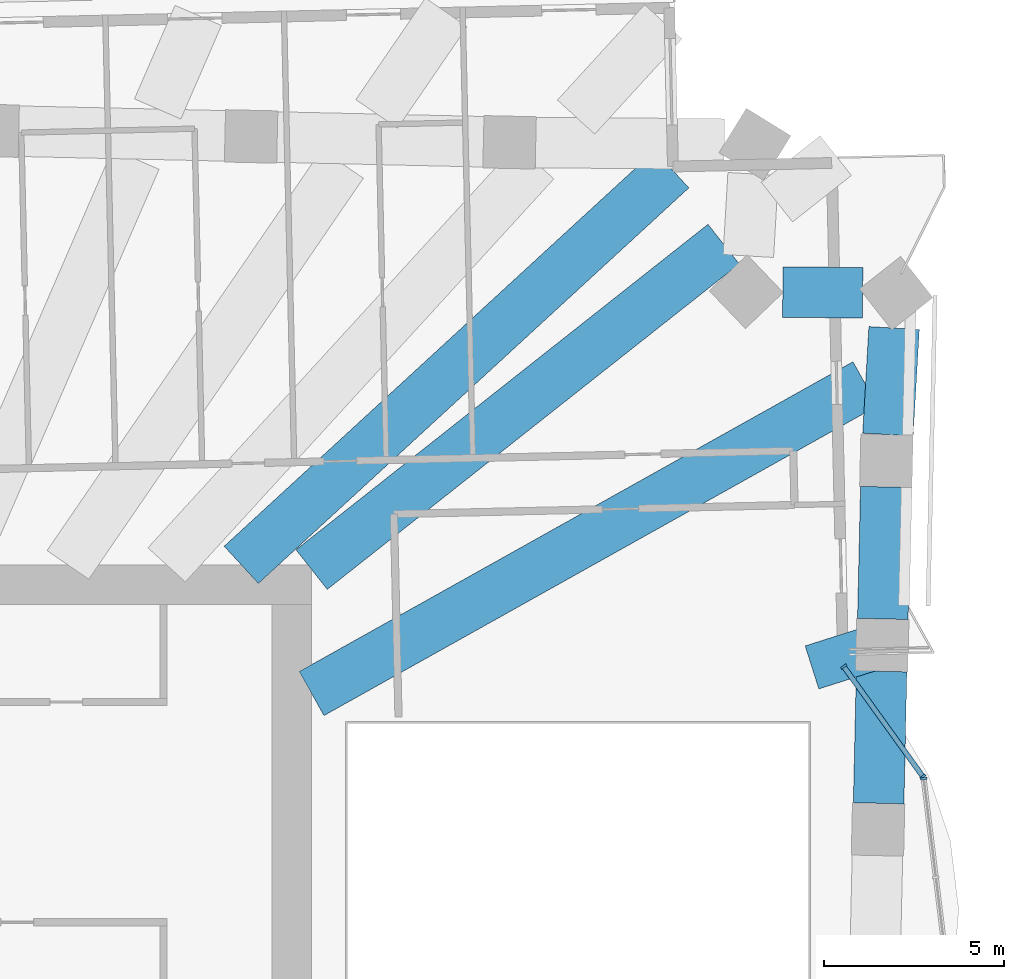
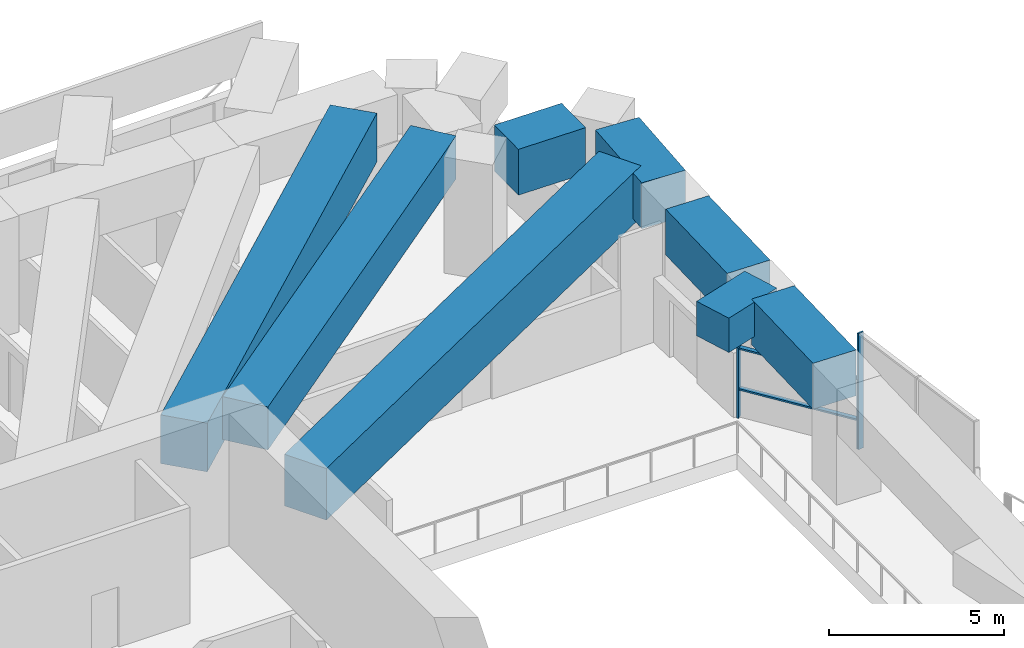
# One storey, part 7 of 20: 8 beams, 5 members, 2 elements without a shape of their own.
"""IFC4 building model written with IfcOpenShell, lengths in metres."""

from ifc_helpers import new_model, si_unit, direction, frame, origin, origin_2d, place, context, subcontext, project, spatial, rectangle, extrude, material, material_profile, profile_set, type_object, element, aggregate, save


model = new_model("IFC4")

# Units and contexts
model_context = context("Model", 3, precision=1e-05, world=origin(), true_north=direction((0.0, 1.0)))
body_context = subcontext(model_context, "Body", "Model", "MODEL_VIEW")
ifc_project = project(units=[si_unit("LENGTHUNIT", "METRE"), si_unit("AREAUNIT", "SQUARE_METRE"), si_unit("VOLUMEUNIT", "CUBIC_METRE"), si_unit("PLANEANGLEUNIT", "RADIAN"), si_unit("MASSUNIT", "GRAM", prefix="KILO")], contexts=[model_context])

# Site, building, storey
site_placement = place(None, origin())
site = spatial("IfcSite", under=ifc_project, at=site_placement, CompositionType="ELEMENT")
building_placement = place(site_placement, origin())
building = spatial("IfcBuilding", under=site, at=building_placement, Name="Mangrove Gate Tower", CompositionType="ELEMENT")
storey_placement = place(building_placement, frame((0.0, 0.0, 74.699951171875)))
storey = spatial("IfcBuildingStorey", under=building, at=storey_placement, Name="L18", CompositionType="ELEMENT", Elevation=74.699951171875)

# Curtain wall, member
ifc_material_1 = material(Name="Aluminium and glass curtain wall", Category="aluminium")
curtain_wall_type = type_object("IfcCurtainWallType", Name="Sky-lounge glazing wall", PredefinedType="NOTDEFINED", material=ifc_material_1)
curtain_wall_1_placement = place(storey_placement, origin())
curtain_wall_1 = element("IfcCurtainWall", 1, at=curtain_wall_1_placement, inside=storey, type_object=curtain_wall_type, Name="Sky-lounge glazing E1f2", PredefinedType="NOTDEFINED")
ifc_material_2 = material(Name="Aluminium alloy 6063-T6", Category="aluminium")
ifc_material_profile_1 = material_profile(ifc_material_2, rectangle(XDim=0.06005859375, YDim=0.179931640625, at=origin_2d()))
ifc_profile_set_1 = profile_set([ifc_material_profile_1], Name="Aluminium alloy 6063-T6")
member_type_1 = type_object("IfcMemberType", Name="Sky-lounge glazing mullion 60x180", PredefinedType="MULLION", material=ifc_profile_set_1)
member_1_placement = place(storey_placement, frame((31.85498046875, 5.97998046875, 0.0), z_axis=(0.0, 0.0, 1.0), x_axis=(-0.122172286076, 0.992508908028, 0.0)))
member_1 = element("IfcMember", 2, at=member_1_placement, type_object=member_type_1, Name="CWK mullion 3", PredefinedType="MULLION", context=body_context, shape_type="SweptSolid", body=[
    extrude(rectangle(XDim=0.06005859375, YDim=0.179931640625, at=origin_2d()), origin(), (0.0, 0.0, 1.0), 4.050048828125),
])
aggregate(curtain_wall_1, [member_1])

# Curtain wall, members
curtain_wall_2_placement = place(storey_placement, origin())
curtain_wall_2 = element("IfcCurtainWall", 3, at=curtain_wall_2_placement, inside=storey, type_object=curtain_wall_type, Name="Sky-lounge glazing E1f3", PredefinedType="NOTDEFINED")
member_2_placement = place(storey_placement, frame((31.833740234375, 6.0341796875, 0.0), z_axis=(0.0, 0.0, 1.0), x_axis=(-0.583670260892, 0.811990779843, 0.0)))
member_2 = element("IfcMember", 4, at=member_2_placement, type_object=member_type_1, Name="CWK mullion 1", PredefinedType="MULLION", context=body_context, shape_type="SweptSolid", body=[
    extrude(rectangle(XDim=0.06005859375, YDim=0.179931640625, at=origin_2d()), origin(), (0.0, 0.0, 1.0), 2.449951171875),
])
member_3_placement = place(storey_placement, frame((29.6416015625, 9.083984375, 0.0), z_axis=(0.0, 0.0, 1.0), x_axis=(-0.583670260892, 0.811990779843, 0.0)))
member_3 = element("IfcMember", 5, at=member_3_placement, type_object=member_type_1, Name="CWK mullion 2", PredefinedType="MULLION", context=body_context, shape_type="SweptSolid", body=[
    extrude(rectangle(XDim=0.06005859375, YDim=0.179931640625, at=origin_2d()), origin(), (0.0, 0.0, 1.0), 2.449951171875),
])
ifc_material_3 = material(Name="Aluminium alloy 6063-T6", Category="aluminium")
ifc_material_profile_2 = material_profile(ifc_material_3, rectangle(XDim=0.06005859375, YDim=0.139892578125, at=origin_2d()))
ifc_profile_set_2 = profile_set([ifc_material_profile_2], Name="Aluminium alloy 6063-T6")
member_type_2 = type_object("IfcMemberType", Name="Sky-lounge glazing transom 60x140", PredefinedType="USERDEFINED", material=ifc_profile_set_2)
member_4_placement = place(storey_placement, frame((31.81640625, 6.05859375, 1.0), z_axis=(-0.583728598012, 0.811948843132, 0.0), x_axis=(0.0, 0.0, 1.0)))
member_4 = element("IfcMember", 6, at=member_4_placement, type_object=member_type_2, Name="CWK transom 1.2", ObjectType="TRANSOM", PredefinedType="USERDEFINED", context=body_context, shape_type="SweptSolid", body=[
    extrude(rectangle(XDim=0.06005859375, YDim=0.139892578125, at=origin_2d()), origin(), (0.0, 0.0, 1.0), 3.696044921875),
])
member_5_placement = place(storey_placement, frame((31.81640625, 6.05859375, 2.420166015625), z_axis=(-0.583728598012, 0.811948843132, 0.0), x_axis=(0.0, 0.0, 1.0)))
member_5 = element("IfcMember", 7, at=member_5_placement, type_object=member_type_2, Name="CWK transom 1.3", ObjectType="TRANSOM", PredefinedType="USERDEFINED", context=body_context, shape_type="SweptSolid", body=[
    extrude(rectangle(XDim=0.06005859375, YDim=0.139892578125, at=origin_2d()), origin(), (0.0, 0.0, 1.0), 3.696044921875),
])
aggregate(curtain_wall_2, [member_2, member_3, member_4, member_5])

# Beams
ifc_material_4 = material(Name="Concrete C70/85", Category="concrete")
ifc_material_profile_3 = material_profile(ifc_material_4, rectangle(XDim=1.25, YDim=1.199951171875, at=origin_2d()))
ifc_profile_set_3 = profile_set([ifc_material_profile_3], Name="Concrete C70/85")
beam_type_1 = type_object("IfcBeamType", Name="Transfer girder RC 1250x1200 C70/85", PredefinedType="BEAM", material=ifc_profile_set_3)
beam_1_placement = place(storey_placement, frame((30.707275390625, 9.676513671875, 3.449951171875), z_axis=(-0.953096881556, -0.302665383499, 0.0), x_axis=(0.302665383499, -0.953096881556, 0.0)))
element("IfcBeam", 8, at=beam_1_placement, inside=storey, type_object=beam_type_1, Name="Transfer edge girder L18 16", PredefinedType="BEAM", context=body_context, shape_type="SweptSolid", body=[
    extrude(rectangle(XDim=1.25, YDim=1.199951171875, at=origin_2d()), origin(), (0.0, 0.0, 1.0), 2.040771484375),
])
ifc_material_5 = material(Name="Concrete C70/85", Category="concrete")
ifc_material_profile_4 = material_profile(ifc_material_5, rectangle(XDim=1.39990234375, YDim=1.5, at=origin_2d()))
ifc_profile_set_4 = profile_set([ifc_material_profile_4], Name="Concrete C70/85")
beam_type_2 = type_object("IfcBeamType", Name="Transfer girder RC 1400x1500 C70/85", PredefinedType="BEAM", material=ifc_profile_set_4)
beam_2_placement = place(storey_placement, frame((14.89990234375, 11.769287109375, 3.300048828125), z_axis=(0.784731505453, 0.619835836613, 0.0), x_axis=(-0.619835836613, 0.784731505453, 0.0)))
element("IfcBeam", 9, at=beam_2_placement, inside=storey, type_object=beam_type_2, Name="Transfer girder L18 18", PredefinedType="BEAM", context=body_context, shape_type="SweptSolid", body=[
    extrude(rectangle(XDim=1.39990234375, YDim=1.5, at=origin_2d()), origin(), (0.0, 0.0, 1.0), 14.545166015625),
])
ifc_material_6 = material(Name="Concrete C70/85", Category="concrete")
ifc_material_profile_5 = material_profile(ifc_material_6, rectangle(XDim=1.39990234375, YDim=1.60009765625, at=origin_2d()))
ifc_profile_set_5 = profile_set([ifc_material_profile_5], Name="Concrete C70/85")
beam_type_3 = type_object("IfcBeamType", Name="Transfer girder RC 1400x1600 C70/85", PredefinedType="BEAM", material=ifc_profile_set_5)
beam_3_placement = place(storey_placement, frame((30.607666015625, 5.294189453125, 3.25), z_axis=(0.022689571451, 0.999742558536, 0.0), x_axis=(-0.999742558536, 0.022689571451, 0.0)))
element("IfcBeam", 10, at=beam_3_placement, inside=storey, type_object=beam_type_3, Name="Transfer ring girder L18 17", PredefinedType="BEAM", context=body_context, shape_type="SweptSolid", body=[
    extrude(rectangle(XDim=1.39990234375, YDim=1.60009765625, at=origin_2d()), origin(), (0.0, 0.0, 1.0), 3.658447265625),
])
beam_4_placement = place(storey_placement, frame((30.7236328125, 10.4013671875, 3.25), z_axis=(0.022691085328, 0.999742524176, 0.0), x_axis=(-0.999742524176, 0.022691085328, 0.0)))
element("IfcBeam", 11, at=beam_4_placement, inside=storey, type_object=beam_type_3, Name="Transfer ring girder L18 18", PredefinedType="BEAM", context=body_context, shape_type="SweptSolid", body=[
    extrude(rectangle(XDim=1.39990234375, YDim=1.60009765625, at=origin_2d()), origin(), (0.0, 0.0, 1.0), 3.658203125),
])
beam_5_placement = place(storey_placement, frame((30.865478515625, 15.5078125, 3.25), z_axis=(0.058131471551, 0.998308936159, 0.0), x_axis=(-0.998308936159, 0.058131471551, 0.0)))
element("IfcBeam", 12, at=beam_5_placement, inside=storey, type_object=beam_type_3, Name="Transfer ring girder L18 19", PredefinedType="BEAM", context=body_context, shape_type="SweptSolid", body=[
    extrude(rectangle(XDim=1.39990234375, YDim=1.60009765625, at=origin_2d()), origin(), (0.0, 0.0, 1.0), 2.95654296875),
])
beam_6_placement = place(storey_placement, frame((30.16455078125, 19.43505859375, 3.25), z_axis=(-0.999947273527, 0.010268893158, 0.0), x_axis=(-0.010268893158, -0.999947273527, 0.0)))
element("IfcBeam", 13, at=beam_6_placement, inside=storey, type_object=beam_type_3, Name="Transfer ring girder L18 20", PredefinedType="BEAM", context=body_context, shape_type="SweptSolid", body=[
    extrude(rectangle(XDim=1.39990234375, YDim=1.60009765625, at=origin_2d()), origin(), (0.0, 0.0, 1.0), 2.2109375),
])
ifc_material_7 = material(Name="Concrete C70/85", Category="concrete")
ifc_material_profile_6 = material_profile(ifc_material_7, rectangle(XDim=1.39990234375, YDim=1.699951171875, at=origin_2d()))
ifc_profile_set_6 = profile_set([ifc_material_profile_6], Name="Concrete C70/85")
beam_type_4 = type_object("IfcBeamType", Name="Transfer girder RC 1400x1700 C70/85", PredefinedType="BEAM", material=ifc_profile_set_6)
beam_7_placement = place(storey_placement, frame((12.9501953125, 11.89990234375, 3.199951171875), z_axis=(0.736327723713, 0.676625068477, 0.0), x_axis=(-0.676625068477, 0.736327723713, 0.0)))
element("IfcBeam", 14, at=beam_7_placement, inside=storey, type_object=beam_type_4, Name="Transfer girder L18 19", PredefinedType="BEAM", context=body_context, shape_type="SweptSolid", body=[
    extrude(rectangle(XDim=1.39990234375, YDim=1.699951171875, at=origin_2d()), origin(), (0.0, 0.0, 1.0), 16.197509765625),
])
ifc_material_8 = material(Name="Concrete C70/85", Category="concrete")
ifc_material_profile_7 = material_profile(ifc_material_8, rectangle(XDim=1.39990234375, YDim=1.800048828125, at=origin_2d()))
ifc_profile_set_7 = profile_set([ifc_material_profile_7], Name="Concrete C70/85")
beam_type_5 = type_object("IfcBeamType", Name="Transfer girder RC 1400x1800 C70/85", PredefinedType="BEAM", material=ifc_profile_set_7)
beam_8_placement = place(storey_placement, frame((14.89990234375, 8.3349609375, 3.150146484375), z_axis=(0.872728353895, 0.488206124815, 0.0), x_axis=(-0.488206124815, 0.872728353895, 0.0)))
element("IfcBeam", 15, at=beam_8_placement, inside=storey, type_object=beam_type_5, Name="Transfer girder L18 17", PredefinedType="BEAM", context=body_context, shape_type="SweptSolid", body=[
    extrude(rectangle(XDim=1.39990234375, YDim=1.800048828125, at=origin_2d()), origin(), (0.0, 0.0, 1.0), 17.5751953125),
])

save(model, "model.ifc")
